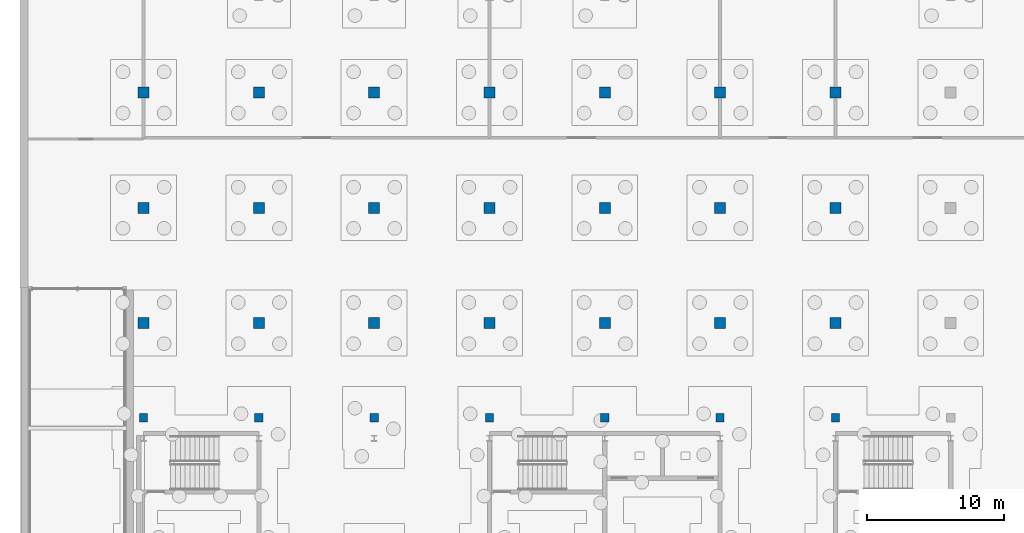
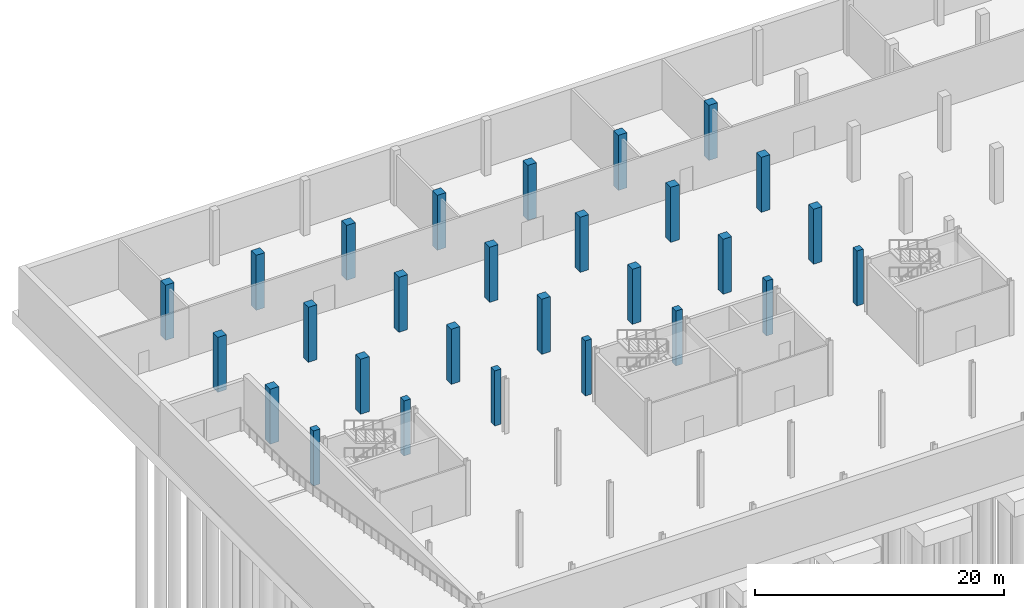
# One storey, part 7 of 29: 28 columns.
"""IFC4 building model written with IfcOpenShell, lengths in metres."""

from ifc_helpers import new_model, si_unit, direction, frame, origin, origin_2d, place, context, subcontext, project, spatial, rectangle, extrude, material, material_profile, profile_set, type_object, element, save


model = new_model("IFC4")

# Units and contexts
model_context = context("Model", 3, precision=1e-05, world=origin(), true_north=direction((0.0, 1.0)))
body_context = subcontext(model_context, "Body", "Model", "MODEL_VIEW")
ifc_project = project(units=[si_unit("LENGTHUNIT", "METRE"), si_unit("AREAUNIT", "SQUARE_METRE"), si_unit("VOLUMEUNIT", "CUBIC_METRE"), si_unit("PLANEANGLEUNIT", "RADIAN"), si_unit("MASSUNIT", "GRAM", prefix="KILO")], contexts=[model_context])

# Site, building, storey
site_placement = place(None, origin())
site = spatial("IfcSite", under=ifc_project, at=site_placement, CompositionType="ELEMENT")
building_placement = place(site_placement, origin())
building = spatial("IfcBuilding", under=site, at=building_placement, Name="Cresset Court Congress Hotel", CompositionType="ELEMENT")
storey_placement = place(building_placement, frame((0.0, 0.0, -5.39990234375)))
storey = spatial("IfcBuildingStorey", under=building, at=storey_placement, Name="B1", CompositionType="ELEMENT", Elevation=-5.39990234375)

# Columns
ifc_material_1 = material(Name="Concrete C40", Category="concrete")
ifc_material_profile_1 = material_profile(ifc_material_1, rectangle(XDim=0.60009765625, YDim=0.60009765625, at=origin_2d()), Name="RC600x600")
ifc_profile_set_1 = profile_set([ifc_material_profile_1], Name="Concrete C40")
column_type_1 = type_object("IfcColumnType", Name="RC column 600x600", PredefinedType="COLUMN", material=ifc_profile_set_1)
for number, where, z_axis, x_axis, name in (
    (1, (8.39990234375, 26.699951171875, 0.0), (0.0, 0.0, 1.0), (1.0, 0.0, 0.0), "Court column D01"),
    (2, (16.800048828125, 26.699951171875, 0.0), (0.0, 0.0, 1.0), (1.0, 0.0, 0.0), "Court column D02"),
    (3, (25.199951171875, 26.699951171875, 0.0), (0.0, 0.0, 1.0), (1.0, 0.0, 0.0), "Court column D03"),
    (4, (33.60009765625, 26.699951171875, 0.0), (0.0, 0.0, 1.0), (1.0, 0.0, 0.0), "Court column D04"),
    (5, (42.0, 26.699951171875, 0.0), (0.0, 0.0, 1.0), (1.0, 0.0, 0.0), "Court column D05"),
    (6, (50.39990234375, 26.699951171875, 0.0), (0.0, 0.0, 1.0), (1.0, 0.0, 0.0), "Court column D06"),
    (7, (58.800048828125, 26.699951171875, 0.0), (0.0, 0.0, 1.0), (1.0, 0.0, 0.0), "Court column D07"),
):
    element("IfcColumn", number, at=place(storey_placement, frame(where, z_axis=z_axis, x_axis=x_axis)), inside=storey, type_object=column_type_1, Name=name, PredefinedType="COLUMN", context=body_context, shape_type="SweptSolid", body=[
        extrude(rectangle(XDim=0.60009765625, YDim=0.60009765625, at=origin_2d()), origin(), (0.0, 0.0, 1.0), 5.39990234375),
    ])
ifc_material_2 = material(Name="Concrete C50", Category="concrete")
ifc_material_profile_2 = material_profile(ifc_material_2, rectangle(XDim=0.800048828125, YDim=0.800048828125, at=origin_2d()), Name="RC800x800")
ifc_profile_set_2 = profile_set([ifc_material_profile_2], Name="Concrete C50")
column_type_2 = type_object("IfcColumnType", Name="RC column 800x800", PredefinedType="COLUMN", material=ifc_profile_set_2)
for number, where, z_axis, x_axis, name in (
    (8, (8.39990234375, 33.60009765625, 0.0), (0.0, 0.0, 1.0), (1.0, 0.0, 0.0), "Court column 01E"),
    (9, (8.39990234375, 42.0, 0.0), (0.0, 0.0, 1.0), (1.0, 0.0, 0.0), "Court column 01F"),
    (10, (8.39990234375, 50.39990234375, 0.0), (0.0, 0.0, 1.0), (1.0, 0.0, 0.0), "Court column 01G"),
    (11, (16.800048828125, 33.60009765625, 0.0), (0.0, 0.0, 1.0), (1.0, 0.0, 0.0), "Court column 02E"),
    (12, (16.800048828125, 42.0, 0.0), (0.0, 0.0, 1.0), (1.0, 0.0, 0.0), "Court column 02F"),
    (13, (16.800048828125, 50.39990234375, 0.0), (0.0, 0.0, 1.0), (1.0, 0.0, 0.0), "Court column 02G"),
    (14, (25.199951171875, 33.60009765625, 0.0), (0.0, 0.0, 1.0), (1.0, 0.0, 0.0), "Court column 03E"),
    (15, (25.199951171875, 42.0, 0.0), (0.0, 0.0, 1.0), (1.0, 0.0, 0.0), "Court column 03F"),
    (16, (25.199951171875, 50.39990234375, 0.0), (0.0, 0.0, 1.0), (1.0, 0.0, 0.0), "Court column 03G"),
    (17, (33.60009765625, 33.60009765625, 0.0), (0.0, 0.0, 1.0), (1.0, 0.0, 0.0), "Court column 04E"),
    (18, (33.60009765625, 42.0, 0.0), (0.0, 0.0, 1.0), (1.0, 0.0, 0.0), "Court column 04F"),
    (19, (33.60009765625, 50.39990234375, 0.0), (0.0, 0.0, 1.0), (1.0, 0.0, 0.0), "Court column 04G"),
    (20, (42.0, 33.60009765625, 0.0), (0.0, 0.0, 1.0), (1.0, 0.0, 0.0), "Court column 05E"),
    (21, (42.0, 42.0, 0.0), (0.0, 0.0, 1.0), (1.0, 0.0, 0.0), "Court column 05F"),
    (22, (42.0, 50.39990234375, 0.0), (0.0, 0.0, 1.0), (1.0, 0.0, 0.0), "Court column 05G"),
    (23, (50.39990234375, 33.60009765625, 0.0), (0.0, 0.0, 1.0), (1.0, 0.0, 0.0), "Court column 06E"),
    (24, (50.39990234375, 42.0, 0.0), (0.0, 0.0, 1.0), (1.0, 0.0, 0.0), "Court column 06F"),
    (25, (50.39990234375, 50.39990234375, 0.0), (0.0, 0.0, 1.0), (1.0, 0.0, 0.0), "Court column 06G"),
    (26, (58.800048828125, 33.60009765625, 0.0), (0.0, 0.0, 1.0), (1.0, 0.0, 0.0), "Court column 07E"),
    (27, (58.800048828125, 42.0, 0.0), (0.0, 0.0, 1.0), (1.0, 0.0, 0.0), "Court column 07F"),
    (28, (58.800048828125, 50.39990234375, 0.0), (0.0, 0.0, 1.0), (1.0, 0.0, 0.0), "Court column 07G"),
):
    element("IfcColumn", number, at=place(storey_placement, frame(where, z_axis=z_axis, x_axis=x_axis)), inside=storey, type_object=column_type_2, Name=name, PredefinedType="COLUMN", context=body_context, shape_type="SweptSolid", body=[
        extrude(rectangle(XDim=0.800048828125, YDim=0.800048828125, at=origin_2d()), origin(), (0.0, 0.0, 1.0), 5.39990234375),
    ])

save(model, "model.ifc")
